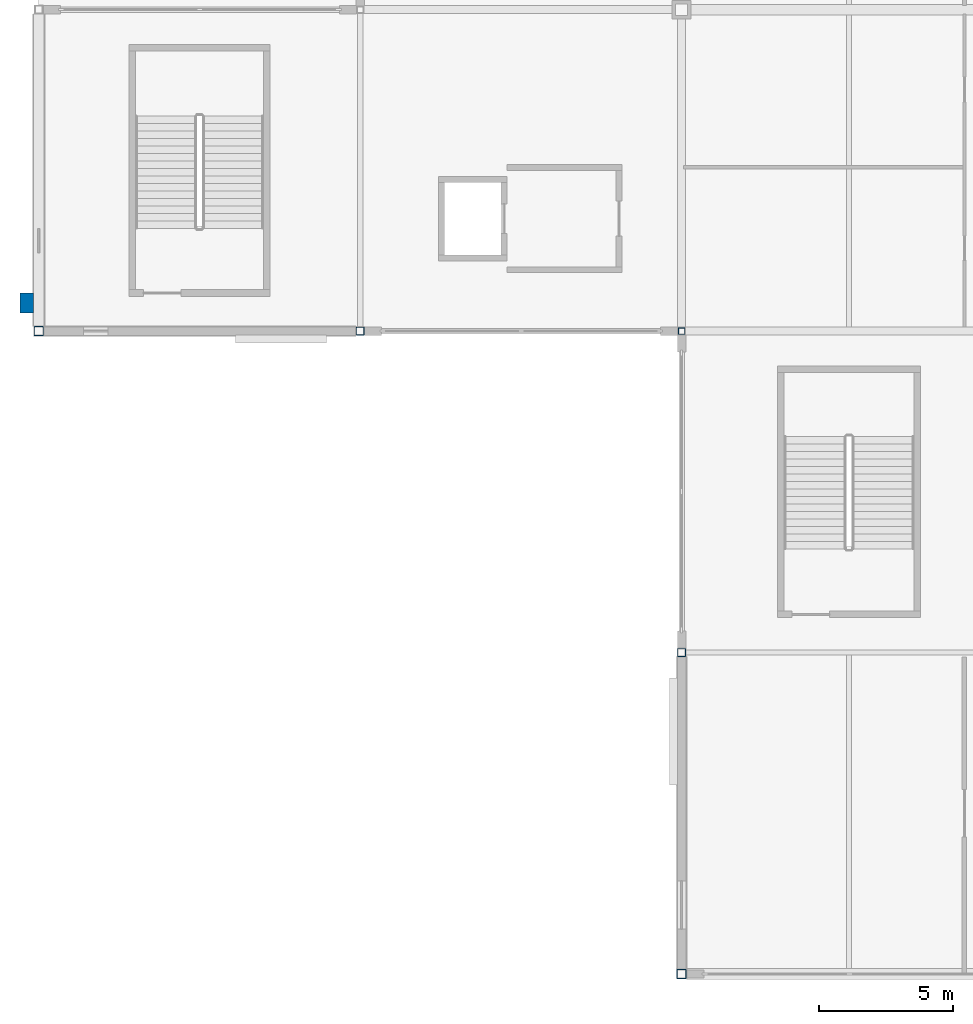
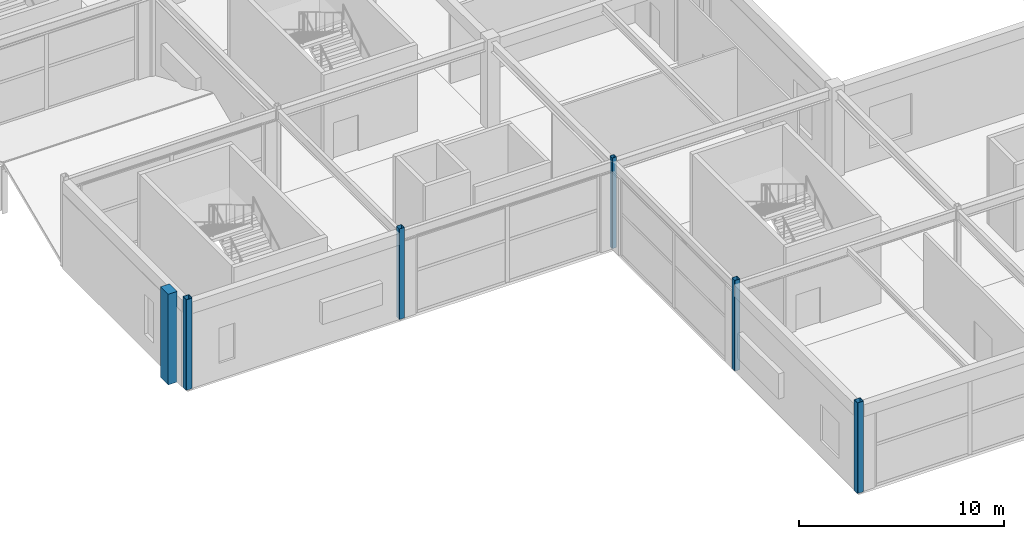
# One storey, part 1 of 105: 6 columns.
"""IFC4 building model written with IfcOpenShell, lengths in metres."""

from ifc_helpers import new_model, si_unit, direction, frame, origin, origin_2d, place, context, subcontext, project, spatial, rectangle, hollow_rectangle, extrude, material, material_profile, profile_set, type_object, element, save


model = new_model("IFC4")

# Units and contexts
model_context = context("Model", 3, precision=1e-05, world=origin(), true_north=direction((0.0, 1.0)))
body_context = subcontext(model_context, "Body", "Model", "MODEL_VIEW")
ifc_project = project(units=[si_unit("LENGTHUNIT", "METRE"), si_unit("AREAUNIT", "SQUARE_METRE"), si_unit("VOLUMEUNIT", "CUBIC_METRE"), si_unit("PLANEANGLEUNIT", "RADIAN"), si_unit("MASSUNIT", "GRAM", prefix="KILO")], contexts=[model_context])

# Site, building, storey
site_placement = place(None, origin())
site = spatial("IfcSite", under=ifc_project, at=site_placement, CompositionType="ELEMENT")
building_placement = place(site_placement, origin())
building = spatial("IfcBuilding", under=site, at=building_placement, Name="Kazenohara Klinker Stadium", CompositionType="ELEMENT")
storey_placement = place(building_placement, frame((0.0, 0.0, 20.39990234375)))
storey = spatial("IfcBuildingStorey", under=building, at=storey_placement, Name="L04", CompositionType="ELEMENT", Elevation=20.39990234375)

# Columns
ifc_material_1 = material(Name="Steel S355", Category="steel")
ifc_material_profile_1 = material_profile(ifc_material_1, hollow_rectangle(XDim=0.35009765625, YDim=0.35009765625, WallThickness=0.01611328125, InnerFilletRadius=0.01611328125, OuterFilletRadius=0.031982421875, at=origin_2d()), Name="SHS-350x350x16")
ifc_profile_set_1 = profile_set([ifc_material_profile_1], Name="Steel S355")
column_type_1 = type_object("IfcColumnType", Name="COL-ST02", PredefinedType="COLUMN", material=ifc_profile_set_1)
for number, where, z_axis, x_axis, name in (
    (1, (0.0, 36.0, 0.0), (0.0, 0.0, 1.0), (1.0, 0.0, 0.0), "Column SC02 L04 1/D"),
    (2, (24.0, 12.0, 0.0), (0.0, 0.0, 1.0), (1.0, 0.0, 0.0), "Column SC02 L04 3/B"),
):
    element("IfcColumn", number, at=place(storey_placement, frame(where, z_axis=z_axis, x_axis=x_axis)), inside=storey, type_object=column_type_1, Name=name, PredefinedType="COLUMN", context=body_context, shape_type="SweptSolid", body=[
        extrude(hollow_rectangle(XDim=0.35009765625, YDim=0.35009765625, WallThickness=0.01611328125, InnerFilletRadius=0.01611328125, OuterFilletRadius=0.031982421875, at=origin_2d()), origin(), (0.0, 0.0, 1.0), 5.400146484375),
    ])
ifc_material_profile_2 = material_profile(ifc_material_1, hollow_rectangle(XDim=0.300048828125, YDim=0.300048828125, WallThickness=0.011962890625, InnerFilletRadius=0.011962890625, OuterFilletRadius=0.02392578125, at=origin_2d()), Name="SHS-300x300x12")
ifc_profile_set_2 = profile_set([ifc_material_profile_2], Name="Steel S355")
column_type_2 = type_object("IfcColumnType", Name="COL-ST03", PredefinedType="COLUMN", material=ifc_profile_set_2)
for number, where, z_axis, x_axis, name in (
    (3, (12.0, 36.0, 0.0), (0.0, 0.0, 1.0), (1.0, 0.0, 0.0), "Column SC03 L04 2/D"),
    (4, (24.0, 24.0, 0.0), (0.0, 0.0, 1.0), (1.0, 0.0, 0.0), "Column SC03 L04 3/C"),
):
    element("IfcColumn", number, at=place(storey_placement, frame(where, z_axis=z_axis, x_axis=x_axis)), inside=storey, type_object=column_type_2, Name=name, PredefinedType="COLUMN", context=body_context, shape_type="SweptSolid", body=[
        extrude(hollow_rectangle(XDim=0.300048828125, YDim=0.300048828125, WallThickness=0.011962890625, InnerFilletRadius=0.011962890625, OuterFilletRadius=0.02392578125, at=origin_2d()), origin(), (0.0, 0.0, 1.0), 5.400146484375),
    ])
ifc_material_profile_3 = material_profile(ifc_material_1, hollow_rectangle(XDim=0.25, YDim=0.25, WallThickness=0.011962890625, InnerFilletRadius=0.011962890625, OuterFilletRadius=0.02392578125, at=origin_2d()), Name="SHS-250x250x12")
ifc_profile_set_3 = profile_set([ifc_material_profile_3], Name="Steel S355")
column_type_3 = type_object("IfcColumnType", Name="COL-ST04", PredefinedType="COLUMN", material=ifc_profile_set_3)
column_1_placement = place(storey_placement, frame((24.0, 36.0, 0.0), z_axis=(0.0, 0.0, 1.0), x_axis=(1.0, 0.0, 0.0)))
element("IfcColumn", 5, at=column_1_placement, inside=storey, type_object=column_type_3, Name="Column SC04 L04 3/D", PredefinedType="COLUMN", context=body_context, shape_type="SweptSolid", body=[
    extrude(hollow_rectangle(XDim=0.25, YDim=0.25, WallThickness=0.011962890625, InnerFilletRadius=0.011962890625, OuterFilletRadius=0.02392578125, at=origin_2d()), origin(), (0.0, 0.0, 1.0), 5.400146484375),
])
ifc_material_2 = material(Name="Concrete C40/50", Category="concrete")
ifc_material_profile_4 = material_profile(ifc_material_2, rectangle(XDim=0.5, YDim=0.75, at=origin_2d()), Name="RC-PILASTER-500x750")
ifc_profile_set_4 = profile_set([ifc_material_profile_4], Name="Concrete C40/50")
column_type_4 = type_object("IfcColumnType", Name="PIL-RC02", PredefinedType="PILASTER", material=ifc_profile_set_4)
column_2_placement = place(storey_placement, frame((-0.449951171875, 37.050048828125, 0.0), z_axis=(0.0, 0.0, 1.0), x_axis=(1.0, 0.0, 0.0)))
element("IfcColumn", 6, at=column_2_placement, inside=storey, type_object=column_type_4, Name="Pleated facade pilaster PL02 L04 West-03", PredefinedType="PILASTER", context=body_context, shape_type="SweptSolid", body=[
    extrude(rectangle(XDim=0.5, YDim=0.75, at=origin_2d()), origin(), (0.0, 0.0, 1.0), 5.400146484375),
])

save(model, "model.ifc")
